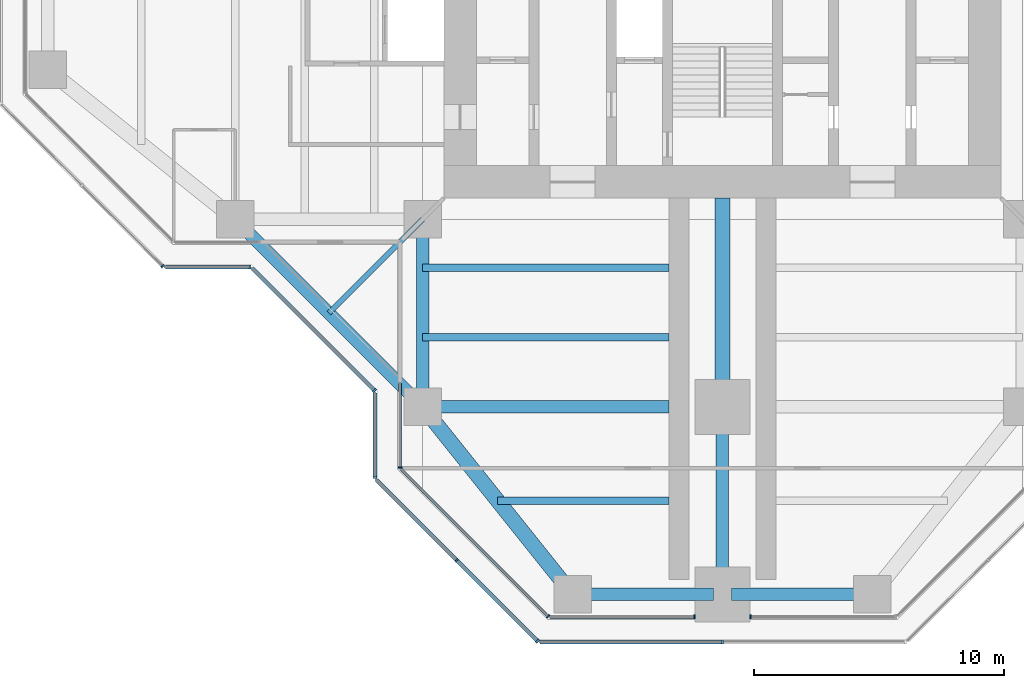
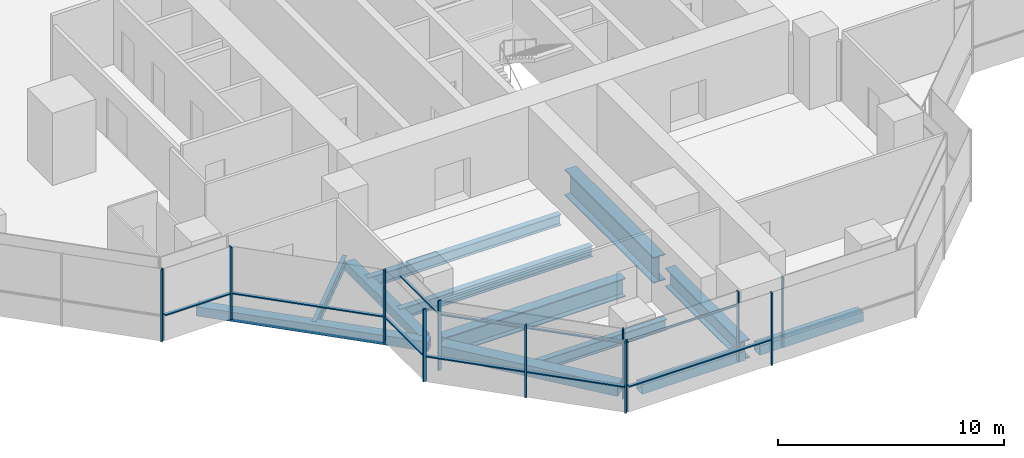
# One storey, part 2 of 17: 20 members, 12 beams, 10 elements without a shape of their own.
"""IFC4 building model written with IfcOpenShell, lengths in metres."""

import ifcopenshell
import ifcopenshell.guid

model = None  # the IFC model being written
_history = None  # IfcOwnerHistory: only IFC2X3 demands one
_inside = {}  # id of a spatial element -> (the spatial element, [elements in it])
_under = {}  # id of a project, library or spatial element -> (it, [spatial elements below it])
_declared = {}  # id of a project -> (the project, [libraries it declares])
_typed = {}  # id of a type object -> (the type object, [elements of that type])
_made_of = {}  # id of a material, layer set ... -> (it, [elements and type objects made of it])


def new_model(schema):
    """Start an empty IFC model of exactly this schema.

    Asked for "IFC4X3", IfcOpenShell would pick the latest addendum, in which some entities
    have other attributes; the version numbers below select the first issue.
    IFC2X3 requires an IfcOwnerHistory on every rooted entity: one is made here for all.
    """
    global model, _history
    if schema == "IFC4X3":
        model = ifcopenshell.file(schema_version=(4, 3, 0, 0))
    else:
        model = ifcopenshell.file(schema=schema)
    _inside.clear()
    _under.clear()
    _declared.clear()
    _typed.clear()
    _made_of.clear()
    _history = None
    if model.schema == "IFC2X3":
        org = make("IfcOrganization", Name="unknown")
        user = make(
            "IfcPersonAndOrganization",
            ThePerson=make("IfcPerson", FamilyName="unknown"),
            TheOrganization=org,
        )
        app = make(
            "IfcApplication",
            ApplicationDeveloper=org,
            Version="unknown",
            ApplicationFullName="unknown",
            ApplicationIdentifier="unknown",
        )
        _history = make(
            "IfcOwnerHistory",
            OwningUser=user,
            OwningApplication=app,
            ChangeAction="ADDED",
            CreationDate=0,
        )
    return model


def make(cls, **values):
    """One entity of the class cls with the attributes given. An attribute that is None is left unset."""
    return model.create_entity(
        cls, **{name: value for name, value in values.items() if value is not None}
    )


def rooted(cls, **values):
    """An entity with a GlobalId (a new one), such as an element, a storey or a relation."""
    return make(cls, GlobalId=ifcopenshell.guid.new(), OwnerHistory=_history, **values)


def si_unit(unit_type, name, prefix=None):
    """IfcSIUnit, for example si_unit("LENGTHUNIT", "METRE", prefix="MILLI")."""
    return make("IfcSIUnit", UnitType=unit_type, Prefix=prefix, Name=name)


def assignment(units):
    """IfcUnitAssignment: the units of a project."""
    return None if units is None else make("IfcUnitAssignment", Units=units)


def point(xyz):
    """IfcCartesianPoint."""
    return None if xyz is None else make("IfcCartesianPoint", Coordinates=xyz)


def direction(xyz):
    """IfcDirection."""
    return None if xyz is None else make("IfcDirection", DirectionRatios=xyz)


def frame(location, z_axis=None, x_axis=None):
    """IfcAxis2Placement3D, a coordinate frame: its origin and axes. An axis left out is left unset."""
    return make(
        "IfcAxis2Placement3D",
        Location=point(location),
        Axis=direction(z_axis),
        RefDirection=direction(x_axis),
    )


def frame_2d(location, x_axis=None):
    """IfcAxis2Placement2D, a coordinate frame in the plane: its origin and x axis."""
    return make(
        "IfcAxis2Placement2D", Location=point(location), RefDirection=direction(x_axis)
    )


def origin():
    """The frame at (0, 0, 0) with its axes left unset."""
    return frame((0.0, 0.0, 0.0))


def origin_2d():
    """The frame at (0, 0) in the plane with its x axis left unset."""
    return frame_2d((0.0, 0.0))


def place(relative_to, where):
    """IfcLocalPlacement: puts the frame where relative to a parent placement (None: the world)."""
    return make(
        "IfcLocalPlacement", PlacementRelTo=relative_to, RelativePlacement=where
    )


def context(
    kind, dimensions, precision=None, world=None, true_north=None, identifier=None
):
    """IfcGeometricRepresentationContext, for example the 3D "Model" context."""
    return make(
        "IfcGeometricRepresentationContext",
        ContextIdentifier=identifier,
        ContextType=kind,
        CoordinateSpaceDimension=dimensions,
        Precision=precision,
        WorldCoordinateSystem=world,
        TrueNorth=true_north,
    )


def subcontext(parent, identifier, kind, view, scale=None):
    """IfcGeometricRepresentationSubContext, for example "Body" below "Model"."""
    return make(
        "IfcGeometricRepresentationSubContext",
        ContextIdentifier=identifier,
        ContextType=kind,
        ParentContext=parent,
        TargetScale=scale,
        TargetView=view,
    )


def project(units=None, contexts=None):
    """IfcProject with its units and contexts."""
    return rooted(
        "IfcProject",
        Name="project",
        RepresentationContexts=contexts,
        UnitsInContext=assignment(units),
    )


def spatial(cls, under=None, at=None, **own):
    """A site, building, storey or space (cls), placed at a placement, below another one or the project."""
    s = rooted(cls, ObjectPlacement=at, **own)
    if under is not None:
        _under.setdefault(under.id(), (under, []))[1].append(s)
    return s


def profile(cls, at=None, kind="AREA", **sizes):
    """A parametric profile (cls). Its sizes go by their IFC names, for example OverallWidth=200.0."""
    return make(cls, ProfileType=kind, Position=at, **sizes)


def rectangle(**sizes):
    """IfcRectangleProfileDef."""
    return profile("IfcRectangleProfileDef", **sizes)


def hollow_rectangle(**sizes):
    """IfcRectangleHollowProfileDef."""
    return profile("IfcRectangleHollowProfileDef", **sizes)


def i_section(**sizes):
    """IfcIShapeProfileDef."""
    return profile("IfcIShapeProfileDef", **sizes)


def extrude(swept, where, along, depth):
    """IfcExtrudedAreaSolid: the profile swept, set in the frame where, extruded along a direction by depth."""
    return make(
        "IfcExtrudedAreaSolid",
        SweptArea=swept,
        Position=where,
        ExtrudedDirection=direction(along),
        Depth=depth,
    )


def shape(context_of_items, identifier, shape_type, items):
    """IfcShapeRepresentation: the items that make up one representation, for example the "Body"."""
    return make(
        "IfcShapeRepresentation",
        ContextOfItems=context_of_items,
        RepresentationIdentifier=identifier,
        RepresentationType=shape_type,
        Items=items,
    )


def material(Name=None, Category=None):
    """IfcMaterial."""
    return make("IfcMaterial", Name=Name, Category=Category)


def material_profile(
    of_material, cross_section, Name=None, Category=None, Priority=None
):
    """IfcMaterialProfile: a cross section and its material."""
    return make(
        "IfcMaterialProfile",
        Name=Name,
        Material=of_material,
        Profile=cross_section,
        Priority=Priority,
        Category=Category,
    )


def profile_set(profiles, Name=None, composite=None):
    """IfcMaterialProfileSet."""
    return make(
        "IfcMaterialProfileSet",
        Name=Name,
        MaterialProfiles=profiles,
        CompositeProfile=composite,
    )


def made_of(thing, what):
    """Note that an element or type object is made of a material, layer set ...; save() writes the relation."""
    if what is not None:
        _made_of.setdefault(what.id(), (what, []))[1].append(thing)
    return thing


def type_object(cls, material=None, **own):
    """A type object (cls), such as IfcWallType, which elements share."""
    return made_of(rooted(cls, **own), material)


def element(
    cls,
    number,
    at=None,
    inside=None,
    cuts=None,
    type_object=None,
    material=None,
    context=None,
    identifier="Body",
    shape_type=None,
    held_by="IfcProductDefinitionShape",
    body=None,
    shapes=None,
    **own,
):
    """One element of the class cls, such as IfcWall. Its Tag is "e" and its number.

    at: its placement. inside: the storey or other place that contains it. cuts: it is an
    opening in that element (IfcRelVoidsElement). A single representation is given by context,
    identifier, shape_type and body (its items); several are given by shapes. held_by: the class
    of the entity that holds the representations. save() writes the other relations.
    """
    e = rooted(cls, Tag="e%d" % number, ObjectPlacement=at, **own)
    if body is not None:
        shapes = [shape(context, identifier, shape_type, body)]
    if shapes is not None:
        e.Representation = make(held_by, Representations=shapes)
    if inside is not None:
        _inside.setdefault(inside.id(), (inside, []))[1].append(e)
    if cuts is not None:
        rooted(
            "IfcRelVoidsElement", RelatingBuildingElement=cuts, RelatedOpeningElement=e
        )
    if type_object is not None:
        _typed.setdefault(type_object.id(), (type_object, []))[1].append(e)
    return made_of(e, material)


def aggregate(whole, parts):
    """IfcRelAggregates: a whole, such as a stair, and the parts it consists of."""
    return rooted("IfcRelAggregates", RelatingObject=whole, RelatedObjects=parts)


def save(model, path):
    """Write the relations noted so far, then the file.

    IfcRelAggregates (storeys below a building ...), IfcRelContainedInSpatialStructure (elements
    in a storey), IfcRelDefinesByType, IfcRelAssociatesMaterial and IfcRelDeclares: one each for
    every whole, place, type object, material and project.
    """
    for whole, parts in _under.values():
        aggregate(whole, parts)
    for where, things in _inside.values():
        rooted(
            "IfcRelContainedInSpatialStructure",
            RelatedElements=things,
            RelatingStructure=where,
        )
    for kind, things in _typed.values():
        rooted("IfcRelDefinesByType", RelatedObjects=things, RelatingType=kind)
    for what, things in _made_of.values():
        rooted("IfcRelAssociatesMaterial", RelatedObjects=things, RelatingMaterial=what)
    for by, libraries in _declared.values():
        rooted("IfcRelDeclares", RelatingContext=by, RelatedDefinitions=libraries)
    model.write(path)


model = new_model("IFC4")

# Units and contexts
model_context = context("Model", 3, precision=1e-05, world=origin(), true_north=direction((0.0, 1.0)))
body_context = subcontext(model_context, "Body", "Model", "MODEL_VIEW")
ifc_project = project(units=[si_unit("LENGTHUNIT", "METRE"), si_unit("AREAUNIT", "SQUARE_METRE"), si_unit("VOLUMEUNIT", "CUBIC_METRE"), si_unit("PLANEANGLEUNIT", "RADIAN"), si_unit("MASSUNIT", "GRAM", prefix="KILO")], contexts=[model_context])

# Site, building, storey
site_placement = place(None, origin())
site = spatial("IfcSite", under=ifc_project, at=site_placement, CompositionType="ELEMENT")
building_placement = place(site_placement, origin())
building = spatial("IfcBuilding", under=site, at=building_placement, Name="Mizan Broadcast Tower", CompositionType="ELEMENT")
storey_placement = place(building_placement, frame((0.0, 0.0, 208.800048828125)))
storey = spatial("IfcBuildingStorey", under=building, at=storey_placement, Name="L48", CompositionType="ELEMENT", Elevation=208.800048828125)

# Beams
ifc_material_1 = material(Name="Steel S355", Category="steel")
ifc_material_profile_1 = material_profile(ifc_material_1, hollow_rectangle(XDim=0.5, YDim=0.5, WallThickness=0.030029296875, at=origin_2d()), Name="BOX 500x500x30")
ifc_profile_set_1 = profile_set([ifc_material_profile_1], Name="Steel S355")
beam_type_1 = type_object("IfcBeamType", Name="EDGE BEAM BOX 500x500x30", PredefinedType="SPANDREL", material=ifc_profile_set_1)
beam_1_placement = place(storey_placement, frame((-12.0, -12.449951171875, -0.380126953125), z_axis=(0.0, -1.0, 0.0), x_axis=(1.0, 0.0, 0.0)))
element("IfcBeam", 1, at=beam_1_placement, inside=storey, type_object=beam_type_1, Name="Edge beam BOX 500x500x30 L48 south arm", PredefinedType="SPANDREL", context=body_context, shape_type="SweptSolid", body=[
    extrude(hollow_rectangle(XDim=0.5, YDim=0.5, WallThickness=0.030029296875, at=origin_2d()), origin(), (0.0, 0.0, 1.0), 6.60009765625),
])
for number, where, z_axis, x_axis, name in (
    (2, (-5.639892578125, -27.0, -0.380126953125), (1.0, 0.0, 0.0), (0.0, 1.0, 0.0), "Edge beam BOX 500x500x30 L48 south arm"),
    (3, (5.639892578125, -27.0, -0.380126953125), (-1.0, 0.0, 0.0), (0.0, -1.0, 0.0), "Edge beam BOX 500x500x30 L48 south arm"),
):
    element("IfcBeam", number, at=place(storey_placement, frame(where, z_axis=z_axis, x_axis=x_axis)), inside=storey, type_object=beam_type_1, Name=name, PredefinedType="SPANDREL", context=body_context, shape_type="SweptSolid", body=[
        extrude(hollow_rectangle(XDim=0.5, YDim=0.5, WallThickness=0.030029296875, at=origin_2d()), origin(), (0.0, 0.0, 1.0), 5.27978515625),
    ])
beam_2_placement = place(storey_placement, frame((-19.5, -12.0, -0.380126953125), z_axis=(0.707106781187, -0.707106781187, 0.0), x_axis=(0.707106781187, 0.707106781187, 0.0)))
element("IfcBeam", 4, at=beam_2_placement, inside=storey, type_object=beam_type_1, Name="Winter garden edge beam L48 W", PredefinedType="SPANDREL", context=body_context, shape_type="SweptSolid", body=[
    extrude(hollow_rectangle(XDim=0.5, YDim=0.5, WallThickness=0.030029296875, at=origin_2d()), origin(), (0.0, 0.0, 1.0), 10.606689453125),
])
ifc_material_2 = material(Name="Steel S355", Category="steel")
ifc_material_profile_2 = material_profile(ifc_material_2, hollow_rectangle(XDim=0.60009765625, YDim=0.60009765625, WallThickness=0.030029296875, at=origin_2d()), Name="BOX 600x600x30")
ifc_profile_set_2 = profile_set([ifc_material_profile_2], Name="Steel S355")
beam_type_2 = type_object("IfcBeamType", Name="EDGE BEAM BOX 600x600x30", PredefinedType="SPANDREL", material=ifc_profile_set_2)
beam_3_placement = place(storey_placement, frame((-11.639892578125, -19.949951171875, -0.429931640625), z_axis=(0.624673911726, -0.780885717636, 0.0), x_axis=(0.780885717636, 0.624673911726, 0.0)))
element("IfcBeam", 5, at=beam_3_placement, inside=storey, type_object=beam_type_2, Name="Edge beam BOX 600x600x30 L48 south arm", PredefinedType="SPANDREL", context=body_context, shape_type="SweptSolid", body=[
    extrude(hollow_rectangle(XDim=0.60009765625, YDim=0.60009765625, WallThickness=0.030029296875, at=origin_2d()), origin(), (0.0, 0.0, 1.0), 8.4521484375),
])
ifc_material_3 = material(Name="Steel S460", Category="steel")
ifc_material_profile_3 = material_profile(ifc_material_3, i_section(OverallWidth=0.5, OverallDepth=1.0, WebThickness=0.02490234375, FlangeThickness=0.050048828125, at=origin_2d()), Name="WPG 1000x500")
ifc_profile_set_3 = profile_set([ifc_material_profile_3], Name="Steel S460")
beam_type_3 = type_object("IfcBeamType", Name="GIRDER WPG 1000x500", PredefinedType="BEAM", material=ifc_profile_set_3)
beam_4_placement = place(storey_placement, frame((0.0, -19.949951171875, -0.630126953125), z_axis=(0.0, -1.0, 0.0), x_axis=(1.0, 0.0, 0.0)))
element("IfcBeam", 6, at=beam_4_placement, inside=storey, type_object=beam_type_3, Name="Girder WPG 1000x500 L48 south arm", PredefinedType="BEAM", context=body_context, shape_type="SweptSolid", body=[
    extrude(i_section(OverallWidth=0.5, OverallDepth=1.0, WebThickness=0.02490234375, FlangeThickness=0.050048828125, at=origin_2d()), origin(), (0.0, 0.0, 1.0), 6.60009765625),
])
beam_5_placement = place(storey_placement, frame((-11.408935546875, -19.5, -0.630126953125), z_axis=(1.0, 0.0, 0.0), x_axis=(0.0, 1.0, 0.0)))
element("IfcBeam", 7, at=beam_5_placement, inside=storey, type_object=beam_type_3, Name="Girder WPG 1000x500 L48 south arm", PredefinedType="BEAM", context=body_context, shape_type="SweptSolid", body=[
    extrude(i_section(OverallWidth=0.5, OverallDepth=1.0, WebThickness=0.02490234375, FlangeThickness=0.050048828125, at=origin_2d()), origin(), (0.0, 0.0, 1.0), 9.259033203125),
])
ifc_material_4 = material(Name="Steel S460", Category="steel")
ifc_material_profile_4 = material_profile(ifc_material_4, i_section(OverallWidth=0.60009765625, OverallDepth=1.39990234375, WebThickness=0.02490234375, FlangeThickness=0.06005859375, at=origin_2d()), Name="WPG 1400x600")
ifc_profile_set_4 = profile_set([ifc_material_profile_4], Name="Steel S460")
beam_type_4 = type_object("IfcBeamType", Name="GIRDER WPG 1400x600", PredefinedType="BEAM", material=ifc_profile_set_4)
beam_6_placement = place(storey_placement, frame((0.0, -11.14990234375, -0.830078125), z_axis=(0.0, -1.0, 0.0), x_axis=(1.0, 0.0, 0.0)))
element("IfcBeam", 8, at=beam_6_placement, inside=storey, type_object=beam_type_4, Name="Girder WPG 1400x600 L48 south arm", PredefinedType="BEAM", context=body_context, shape_type="SweptSolid", body=[
    extrude(i_section(OverallWidth=0.60009765625, OverallDepth=1.39990234375, WebThickness=0.02490234375, FlangeThickness=0.06005859375, at=origin_2d()), origin(), (0.0, 0.0, 1.0), 7.84912109375),
])

# Curtain wall, member
ifc_material_5 = material(Name="Aluminium framed glazing", Category="aluminium")
curtain_wall_type_1 = type_object("IfcCurtainWallType", Name="INNER SKIN HIGH ZONE", PredefinedType="USERDEFINED", material=ifc_material_5)
curtain_wall_1_placement = place(storey_placement, origin())
curtain_wall_1 = element("IfcCurtainWall", 9, at=curtain_wall_1_placement, inside=storey, type_object=curtain_wall_type_1, Name="Inner skin high zone L48 S side", ObjectType="INNER SKIN HIGH ZONE", PredefinedType="USERDEFINED")
ifc_material_6 = material(Name="Aluminium, pale anodised", Category="aluminium")
ifc_material_profile_5 = material_profile(ifc_material_6, rectangle(XDim=0.159912109375, YDim=0.06005859375, at=origin_2d()), Name="MULLION 160x60")
ifc_profile_set_5 = profile_set([ifc_material_profile_5], Name="Aluminium, pale anodised")
member_type_1 = type_object("IfcMemberType", Name="INNER SKIN MULLION 60x160", PredefinedType="MULLION", material=ifc_profile_set_5)
member_1_placement = place(storey_placement, frame((-12.89990234375, -21.928466796875, 0.0), z_axis=(0.0, 0.0, 1.0), x_axis=(1.0, 0.0, 0.0)))
member_1 = element("IfcMember", 10, at=member_1_placement, type_object=member_type_1, Name="Inner skin high zone L48 S side mullion 2", PredefinedType="MULLION", context=body_context, shape_type="SweptSolid", body=[
    extrude(rectangle(XDim=0.159912109375, YDim=0.06005859375, at=origin_2d()), origin(), (0.0, 0.0, 1.0), 3.77001953125),
])

curtain_wall_2_placement = place(storey_placement, origin())
curtain_wall_2 = element("IfcCurtainWall", 11, at=curtain_wall_2_placement, inside=storey, type_object=curtain_wall_type_1, Name="Inner skin high zone L48 S chamfer", ObjectType="INNER SKIN HIGH ZONE", PredefinedType="USERDEFINED")
member_2_placement = place(storey_placement, frame((-6.979736328125, -27.87890625, 0.0), z_axis=(0.0, 0.0, 1.0), x_axis=(0.707106781187, 0.707106781187, 0.0)))
member_2 = element("IfcMember", 12, at=member_2_placement, type_object=member_type_1, Name="Inner skin high zone L48 S chamfer mullion 2", PredefinedType="MULLION", context=body_context, shape_type="SweptSolid", body=[
    extrude(rectangle(XDim=0.159912109375, YDim=0.06005859375, at=origin_2d()), origin(), (0.0, 0.0, 1.0), 3.77001953125),
])

curtain_wall_3_placement = place(storey_placement, origin())
curtain_wall_3 = element("IfcCurtainWall", 13, at=curtain_wall_3_placement, inside=storey, type_object=curtain_wall_type_1, Name="Inner skin high zone L48 S end", ObjectType="INNER SKIN HIGH ZONE", PredefinedType="USERDEFINED")
member_3_placement = place(storey_placement, frame((-1.1298828125, -27.89990234375, 0.0), z_axis=(0.0, 0.0, 1.0), x_axis=(0.0, 1.0, 0.0)))
member_3 = element("IfcMember", 14, at=member_3_placement, type_object=member_type_1, Name="Inner skin high zone L48 S end mullion 2", PredefinedType="MULLION", context=body_context, shape_type="SweptSolid", body=[
    extrude(rectangle(XDim=0.159912109375, YDim=0.06005859375, at=origin_2d()), origin(), (0.0, 0.0, 1.0), 3.77001953125),
])

curtain_wall_4_placement = place(storey_placement, origin())
curtain_wall_4 = element("IfcCurtainWall", 15, at=curtain_wall_4_placement, inside=storey, type_object=curtain_wall_type_1, Name="Inner skin high zone L48 S end", ObjectType="INNER SKIN HIGH ZONE", PredefinedType="USERDEFINED")
member_4_placement = place(storey_placement, frame((1.1298828125, -27.89990234375, 0.0), z_axis=(0.0, 0.0, 1.0), x_axis=(0.0, 1.0, 0.0)))
member_4 = element("IfcMember", 16, at=member_4_placement, type_object=member_type_1, Name="Inner skin high zone L48 S end mullion 1", PredefinedType="MULLION", context=body_context, shape_type="SweptSolid", body=[
    extrude(rectangle(XDim=0.159912109375, YDim=0.06005859375, at=origin_2d()), origin(), (0.0, 0.0, 1.0), 3.77001953125),
])
aggregate(curtain_wall_4, [member_4])

# Member
ifc_material_7 = material(Name="Aluminium, pale anodised", Category="aluminium")
ifc_material_profile_6 = material_profile(ifc_material_7, rectangle(XDim=0.1201171875, YDim=0.06005859375, at=origin_2d()), Name="TRANSOM 120x60")
ifc_profile_set_6 = profile_set([ifc_material_profile_6], Name="Aluminium, pale anodised")
member_type_2 = type_object("IfcMemberType", Name="INNER SKIN TRANSOM 60x120", PredefinedType="USERDEFINED", material=ifc_profile_set_6)
member_5_placement = place(storey_placement, frame((-12.89990234375, -18.56005859375, 3.030029296875), z_axis=(0.0, -1.0, 0.0), x_axis=(1.0, 0.0, 0.0)))
member_5 = element("IfcMember", 17, at=member_5_placement, type_object=member_type_2, Name="Inner skin high zone L48 S side transom 1.1", ObjectType="TRANSOM", PredefinedType="USERDEFINED", context=body_context, shape_type="SweptSolid", body=[
    extrude(rectangle(XDim=0.1201171875, YDim=0.06005859375, at=origin_2d()), origin(), (0.0, 0.0, 1.0), 3.338623046875),
])

aggregate(curtain_wall_1, [member_1, member_5])

member_6_placement = place(storey_placement, frame((-12.857666015625, -22.0009765625, 3.030029296875), z_axis=(0.707106781187, -0.707106781187, 0.0), x_axis=(0.707106781187, 0.707106781187, 0.0)))
member_6 = element("IfcMember", 18, at=member_6_placement, type_object=member_type_2, Name="Inner skin high zone L48 S chamfer transom 1.1", ObjectType="TRANSOM", PredefinedType="USERDEFINED", context=body_context, shape_type="SweptSolid", body=[
    extrude(rectangle(XDim=0.1201171875, YDim=0.06005859375, at=origin_2d()), origin(), (0.0, 0.0, 1.0), 8.28271484375),
])

aggregate(curtain_wall_2, [member_2, member_6])

member_7_placement = place(storey_placement, frame((-6.898681640625, -27.89990234375, 3.030029296875), z_axis=(1.0, 0.0, 0.0), x_axis=(0.0, 1.0, 0.0)))
member_7 = element("IfcMember", 19, at=member_7_placement, type_object=member_type_2, Name="Inner skin high zone L48 S end transom 1.1", ObjectType="TRANSOM", PredefinedType="USERDEFINED", context=body_context, shape_type="SweptSolid", body=[
    extrude(rectangle(XDim=0.1201171875, YDim=0.06005859375, at=origin_2d()), origin(), (0.0, 0.0, 1.0), 5.73876953125),
])

aggregate(curtain_wall_3, [member_3, member_7])

# Curtain wall, member
ifc_material_8 = material(Name="Aluminium framed glazing", Category="aluminium")
curtain_wall_type_2 = type_object("IfcCurtainWallType", Name="OUTER SKIN", PredefinedType="USERDEFINED", material=ifc_material_8)
curtain_wall_5_placement = place(storey_placement, origin())
curtain_wall_5 = element("IfcCurtainWall", 20, at=curtain_wall_5_placement, inside=storey, type_object=curtain_wall_type_2, Name="Outer skin L48 W chamfer", ObjectType="OUTER SKIN", PredefinedType="USERDEFINED")
ifc_material_9 = material(Name="Aluminium, pale anodised", Category="aluminium")
ifc_material_profile_7 = material_profile(ifc_material_9, rectangle(XDim=0.159912109375, YDim=0.080078125, at=origin_2d()), Name="MULLION 160x80")
ifc_profile_set_7 = profile_set([ifc_material_profile_7], Name="Aluminium, pale anodised")
member_type_3 = type_object("IfcMemberType", Name="OUTER SKIN MULLION 80x160", PredefinedType="MULLION", material=ifc_profile_set_7)
member_8_placement = place(storey_placement, frame((-22.401123046875, -13.871826171875, 0.0), z_axis=(0.0, 0.0, 1.0), x_axis=(0.707106781187, 0.707106781187, 0.0)))
member_8 = element("IfcMember", 21, at=member_8_placement, type_object=member_type_3, Name="Outer skin L48 W chamfer mullion 3", PredefinedType="MULLION", context=body_context, shape_type="SweptSolid", body=[
    extrude(rectangle(XDim=0.159912109375, YDim=0.080078125, at=origin_2d()), origin(), (0.0, 0.0, 1.0), 3.89990234375),
])
aggregate(curtain_wall_5, [member_8])

curtain_wall_6_placement = place(storey_placement, origin())
curtain_wall_6 = element("IfcCurtainWall", 22, at=curtain_wall_6_placement, inside=storey, type_object=curtain_wall_type_2, Name="Outer skin L48 W side", ObjectType="OUTER SKIN", PredefinedType="USERDEFINED")
member_9_placement = place(storey_placement, frame((-18.912841796875, -13.89990234375, 0.0), z_axis=(0.0, 0.0, 1.0), x_axis=(0.0, 1.0, 0.0)))
member_9 = element("IfcMember", 23, at=member_9_placement, type_object=member_type_3, Name="Outer skin L48 W side mullion 2", PredefinedType="MULLION", context=body_context, shape_type="SweptSolid", body=[
    extrude(rectangle(XDim=0.159912109375, YDim=0.080078125, at=origin_2d()), origin(), (0.0, 0.0, 1.0), 3.89990234375),
])

curtain_wall_7_placement = place(storey_placement, origin())
curtain_wall_7 = element("IfcCurtainWall", 24, at=curtain_wall_7_placement, inside=storey, type_object=curtain_wall_type_2, Name="Outer skin L48 W chamfer", ObjectType="OUTER SKIN", PredefinedType="USERDEFINED")
member_10_placement = place(storey_placement, frame((-13.92822265625, -18.844482421875, 0.0), z_axis=(0.0, 0.0, 1.0), x_axis=(0.707106781187, 0.707106781187, 0.0)))
member_10 = element("IfcMember", 25, at=member_10_placement, type_object=member_type_3, Name="Outer skin L48 W chamfer mullion 2", PredefinedType="MULLION", context=body_context, shape_type="SweptSolid", body=[
    extrude(rectangle(XDim=0.159912109375, YDim=0.080078125, at=origin_2d()), origin(), (0.0, 0.0, 1.0), 3.89990234375),
])

curtain_wall_8_placement = place(storey_placement, origin())
curtain_wall_8 = element("IfcCurtainWall", 26, at=curtain_wall_8_placement, inside=storey, type_object=curtain_wall_type_2, Name="Outer skin L48 S side", ObjectType="OUTER SKIN", PredefinedType="USERDEFINED")
member_11_placement = place(storey_placement, frame((-13.89990234375, -22.332763671875, 0.0), z_axis=(0.0, 0.0, 1.0), x_axis=(1.0, 0.0, 0.0)))
member_11 = element("IfcMember", 27, at=member_11_placement, type_object=member_type_3, Name="Outer skin L48 S side mullion 2", PredefinedType="MULLION", context=body_context, shape_type="SweptSolid", body=[
    extrude(rectangle(XDim=0.159912109375, YDim=0.080078125, at=origin_2d()), origin(), (0.0, 0.0, 1.0), 3.89990234375),
])

# Curtain wall, members
curtain_wall_9_placement = place(storey_placement, origin())
curtain_wall_9 = element("IfcCurtainWall", 28, at=curtain_wall_9_placement, inside=storey, type_object=curtain_wall_type_2, Name="Outer skin L48 S chamfer", ObjectType="OUTER SKIN", PredefinedType="USERDEFINED")
member_12_placement = place(storey_placement, frame((-10.636474609375, -25.636474609375, 0.0), z_axis=(0.0, 0.0, 1.0), x_axis=(0.707106781187, 0.707106781187, 0.0)))
member_12 = element("IfcMember", 29, at=member_12_placement, type_object=member_type_3, Name="Outer skin L48 S chamfer mullion 2", PredefinedType="MULLION", context=body_context, shape_type="SweptSolid", body=[
    extrude(rectangle(XDim=0.159912109375, YDim=0.080078125, at=origin_2d()), origin(), (0.0, 0.0, 1.0), 3.89990234375),
])
member_13_placement = place(storey_placement, frame((-7.401123046875, -28.871826171875, 0.0), z_axis=(0.0, 0.0, 1.0), x_axis=(0.707106781187, 0.707106781187, 0.0)))
member_13 = element("IfcMember", 30, at=member_13_placement, type_object=member_type_3, Name="Outer skin L48 S chamfer mullion 3", PredefinedType="MULLION", context=body_context, shape_type="SweptSolid", body=[
    extrude(rectangle(XDim=0.159912109375, YDim=0.080078125, at=origin_2d()), origin(), (0.0, 0.0, 1.0), 3.89990234375),
])

# Curtain wall, member
curtain_wall_10_placement = place(storey_placement, origin())
curtain_wall_10 = element("IfcCurtainWall", 31, at=curtain_wall_10_placement, inside=storey, type_object=curtain_wall_type_2, Name="Outer skin L48 S end", ObjectType="OUTER SKIN", PredefinedType="USERDEFINED")
member_14_placement = place(storey_placement, frame((0.0, -28.89990234375, 0.0), z_axis=(0.0, 0.0, 1.0), x_axis=(0.0, 1.0, 0.0)))
member_14 = element("IfcMember", 32, at=member_14_placement, type_object=member_type_3, Name="Outer skin L48 S end mullion 2", PredefinedType="MULLION", context=body_context, shape_type="SweptSolid", body=[
    extrude(rectangle(XDim=0.159912109375, YDim=0.080078125, at=origin_2d()), origin(), (0.0, 0.0, 1.0), 3.89990234375),
])

# Member
ifc_material_10 = material(Name="Aluminium, pale anodised", Category="aluminium")
ifc_material_profile_8 = material_profile(ifc_material_10, rectangle(XDim=0.159912109375, YDim=0.06005859375, at=origin_2d()), Name="TRANSOM 160x60")
ifc_profile_set_8 = profile_set([ifc_material_profile_8], Name="Aluminium, pale anodised")
member_type_4 = type_object("IfcMemberType", Name="OUTER SKIN TRANSOM 60x160", PredefinedType="USERDEFINED", material=ifc_profile_set_8)
member_15_placement = place(storey_placement, frame((-22.292724609375, -13.89990234375, 1.39990234375), z_axis=(1.0, 0.0, 0.0), x_axis=(0.0, 1.0, 0.0)))
member_15 = element("IfcMember", 33, at=member_15_placement, type_object=member_type_4, Name="Outer skin L48 W side transom 1.1", ObjectType="TRANSOM", PredefinedType="USERDEFINED", context=body_context, shape_type="SweptSolid", body=[
    extrude(rectangle(XDim=0.159912109375, YDim=0.06005859375, at=origin_2d()), origin(), (0.0, 0.0, 1.0), 3.33984375),
])

aggregate(curtain_wall_6, [member_9, member_15])

member_16_placement = place(storey_placement, frame((-18.816162109375, -13.95654296875, 1.39990234375), z_axis=(0.707106781187, -0.707106781187, 0.0), x_axis=(0.707106781187, 0.707106781187, 0.0)))
member_16 = element("IfcMember", 34, at=member_16_placement, type_object=member_type_4, Name="Outer skin L48 W chamfer transom 1.1", ObjectType="TRANSOM", PredefinedType="USERDEFINED", context=body_context, shape_type="SweptSolid", body=[
    extrude(rectangle(XDim=0.159912109375, YDim=0.06005859375, at=origin_2d()), origin(), (0.0, 0.0, 1.0), 6.87255859375),
])

aggregate(curtain_wall_7, [member_10, member_16])

member_17_placement = place(storey_placement, frame((-13.89990234375, -18.952880859375, 1.39990234375), z_axis=(0.0, -1.0, 0.0), x_axis=(1.0, 0.0, 0.0)))
member_17 = element("IfcMember", 35, at=member_17_placement, type_object=member_type_4, Name="Outer skin L48 S side transom 1.1", ObjectType="TRANSOM", PredefinedType="USERDEFINED", context=body_context, shape_type="SweptSolid", body=[
    extrude(rectangle(XDim=0.159912109375, YDim=0.06005859375, at=origin_2d()), origin(), (0.0, 0.0, 1.0), 3.33984375),
])

aggregate(curtain_wall_8, [member_11, member_17])

member_18_placement = place(storey_placement, frame((-13.843505859375, -22.429443359375, 1.39990234375), z_axis=(0.707106781187, -0.707106781187, 0.0), x_axis=(0.707106781187, 0.707106781187, 0.0)))
member_18 = element("IfcMember", 36, at=member_18_placement, type_object=member_type_4, Name="Outer skin L48 S chamfer transom 1.1", ObjectType="TRANSOM", PredefinedType="USERDEFINED", context=body_context, shape_type="SweptSolid", body=[
    extrude(rectangle(XDim=0.159912109375, YDim=0.06005859375, at=origin_2d()), origin(), (0.0, 0.0, 1.0), 4.495361328125),
])

member_19_placement = place(storey_placement, frame((-10.608154296875, -25.664794921875, 1.39990234375), z_axis=(0.707106781187, -0.707106781187, 0.0), x_axis=(0.707106781187, 0.707106781187, 0.0)))
member_19 = element("IfcMember", 37, at=member_19_placement, type_object=member_type_4, Name="Outer skin L48 S chamfer transom 2.1", ObjectType="TRANSOM", PredefinedType="USERDEFINED", context=body_context, shape_type="SweptSolid", body=[
    extrude(rectangle(XDim=0.159912109375, YDim=0.06005859375, at=origin_2d()), origin(), (0.0, 0.0, 1.0), 4.495361328125),
])

aggregate(curtain_wall_9, [member_12, member_13, member_18, member_19])

member_20_placement = place(storey_placement, frame((-7.292724609375, -28.89990234375, 1.39990234375), z_axis=(1.0, 0.0, 0.0), x_axis=(0.0, 1.0, 0.0)))
member_20 = element("IfcMember", 38, at=member_20_placement, type_object=member_type_4, Name="Outer skin L48 S end transom 1.1", ObjectType="TRANSOM", PredefinedType="USERDEFINED", context=body_context, shape_type="SweptSolid", body=[
    extrude(rectangle(XDim=0.159912109375, YDim=0.06005859375, at=origin_2d()), origin(), (0.0, 0.0, 1.0), 7.252685546875),
])

aggregate(curtain_wall_10, [member_14, member_20])

# Beams
ifc_material_11 = material(Name="Steel S355", Category="steel")
ifc_material_profile_9 = material_profile(ifc_material_11, i_section(OverallWidth=0.300048828125, OverallDepth=0.590087890625, WebThickness=0.012939453125, FlangeThickness=0.02490234375, FilletRadius=0.027099609375, at=origin_2d()), Name="HEA 600")
ifc_profile_set_9 = profile_set([ifc_material_profile_9], Name="Steel S355")
beam_type_5 = type_object("IfcBeamType", Name="SECONDARY BEAM HEA 600", PredefinedType="JOIST", material=ifc_profile_set_9)
for number, where, z_axis, x_axis, name in (
    (39, (-12.0, -13.933349609375, -0.425048828125), (1.0, 0.0, 0.0), (0.0, 1.0, 0.0), "Secondary beam HEA 600 L48 south arm"),
    (40, (-12.0, -16.716552734375, -0.425048828125), (1.0, 0.0, 0.0), (0.0, 1.0, 0.0), "Secondary beam HEA 600 L48 south arm"),
):
    element("IfcBeam", number, at=place(storey_placement, frame(where, z_axis=z_axis, x_axis=x_axis)), inside=storey, type_object=beam_type_5, Name=name, PredefinedType="JOIST", context=body_context, shape_type="SweptSolid", body=[
        extrude(i_section(OverallWidth=0.300048828125, OverallDepth=0.590087890625, WebThickness=0.012939453125, FlangeThickness=0.02490234375, FilletRadius=0.027099609375, at=origin_2d()), origin(), (0.0, 0.0, 1.0), 9.85009765625),
    ])
beam_7_placement = place(storey_placement, frame((-9.0, -23.25, -0.425048828125), z_axis=(1.0, 0.0, 0.0), x_axis=(0.0, 1.0, 0.0)))
element("IfcBeam", 41, at=beam_7_placement, inside=storey, type_object=beam_type_5, Name="Secondary beam HEA 600 L48 south arm", PredefinedType="JOIST", context=body_context, shape_type="SweptSolid", body=[
    extrude(i_section(OverallWidth=0.300048828125, OverallDepth=0.590087890625, WebThickness=0.012939453125, FlangeThickness=0.02490234375, FilletRadius=0.027099609375, at=origin_2d()), origin(), (0.0, 0.0, 1.0), 6.85009765625),
])
ifc_material_12 = material(Name="Steel S355", Category="steel")
ifc_material_profile_10 = material_profile(ifc_material_12, i_section(OverallWidth=0.2099609375, OverallDepth=0.550048828125, WebThickness=0.010986328125, FlangeThickness=0.01708984375, FilletRadius=0.02392578125, at=origin_2d()), Name="IPE 550")
ifc_profile_set_10 = profile_set([ifc_material_profile_10], Name="Steel S355")
beam_type_6 = type_object("IfcBeamType", Name="SECONDARY BEAM IPE 550", PredefinedType="JOIST", material=ifc_profile_set_10)
beam_8_placement = place(storey_placement, frame((-12.0, -12.0, -0.405029296875), z_axis=(-0.707106781187, -0.707106781187, 0.0), x_axis=(0.707106781187, -0.707106781187, 0.0)))
element("IfcBeam", 42, at=beam_8_placement, inside=storey, type_object=beam_type_6, Name="Winter garden beam L48 W", PredefinedType="JOIST", context=body_context, shape_type="SweptSolid", body=[
    extrude(i_section(OverallWidth=0.2099609375, OverallDepth=0.550048828125, WebThickness=0.010986328125, FlangeThickness=0.01708984375, FilletRadius=0.02392578125, at=origin_2d()), origin(), (0.0, 0.0, 1.0), 5.30322265625),
])

save(model, "model.ifc")
